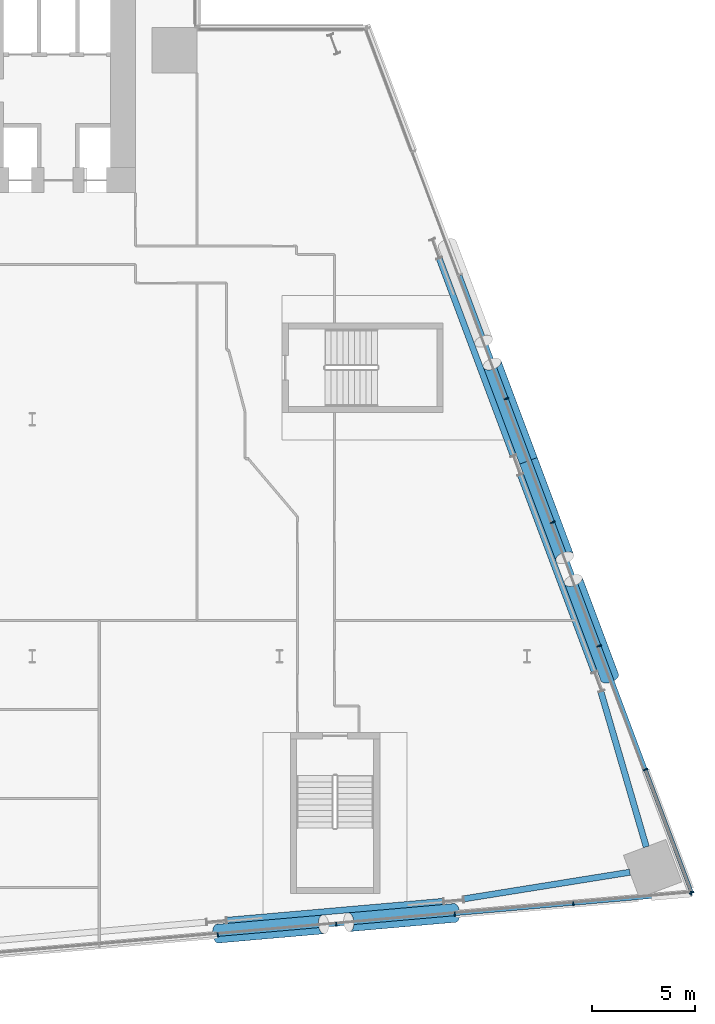
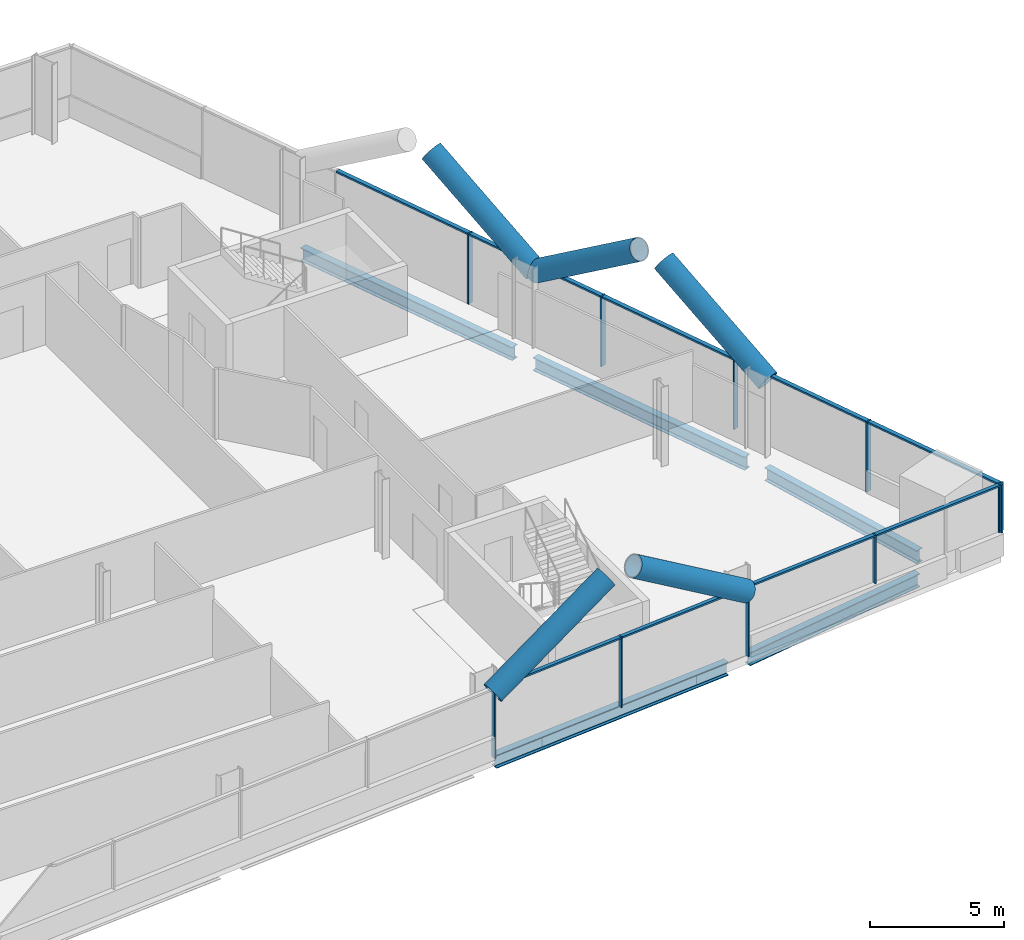
# One storey, part 9 of 27: 24 members, 5 beams, 2 elements without a shape of their own.
"""IFC4 building model written with IfcOpenShell, lengths in metres."""

from ifc_helpers import new_model, si_unit, direction, frame, origin, origin_2d, place, context, subcontext, project, spatial, rectangle, hollow_circle, i_section, extrude, material, material_profile, profile_set, type_object, element, aggregate, save


model = new_model("IFC4")

# Units and contexts
model_context = context("Model", 3, precision=1e-05, world=origin(), true_north=direction((0.0, 1.0)))
body_context = subcontext(model_context, "Body", "Model", "MODEL_VIEW")
ifc_project = project(units=[si_unit("LENGTHUNIT", "METRE"), si_unit("AREAUNIT", "SQUARE_METRE"), si_unit("VOLUMEUNIT", "CUBIC_METRE"), si_unit("PLANEANGLEUNIT", "RADIAN"), si_unit("MASSUNIT", "GRAM", prefix="KILO")], contexts=[model_context])

# Site, building, storey
site_placement = place(None, origin())
site = spatial("IfcSite", under=ifc_project, at=site_placement, CompositionType="ELEMENT")
building_placement = place(site_placement, origin())
building = spatial("IfcBuilding", under=site, at=building_placement, Name="Wharfspan Tower", CompositionType="ELEMENT")
storey_placement = place(building_placement, frame((0.0, 0.0, 73.899902)))
storey = spatial("IfcBuildingStorey", under=building, at=storey_placement, Name="L15", CompositionType="ELEMENT", Elevation=73.899902)

# Beams
ifc_material_1 = material(Name="Steel S355J2", Category="steel")
ifc_material_profile_1 = material_profile(ifc_material_1, i_section(OverallWidth=0.300049, OverallDepth=0.600098, WebThickness=0.015381, FlangeThickness=0.030029, FilletRadius=0.0271, at=origin_2d()))
ifc_profile_set_1 = profile_set([ifc_material_profile_1], Name="Steel S355J2")
beam_type = type_object("IfcBeamType", Name="Edge beam HEB 600", PredefinedType="SPANDREL", material=ifc_profile_set_1)
beam_1_placement = place(storey_placement, frame((69.440674, -1.311279, -0.699951), z_axis=(0.996193, 0.087178, 0.0), x_axis=(-0.087178, 0.996193, 0.0)))
element("IfcBeam", 1, at=beam_1_placement, inside=storey, type_object=beam_type, Name="Edge beam S2 L15 PS2.2 to PS2.3", PredefinedType="SPANDREL", context=body_context, shape_type="SweptSolid", body=[
    extrude(i_section(OverallWidth=0.300049, OverallDepth=0.600098, WebThickness=0.015381, FlangeThickness=0.030029, FilletRadius=0.0271, at=origin_2d()), origin(), (0.0, 0.0, 1.0), 10.543701),
])
beam_2_placement = place(storey_placement, frame((80.9375, -0.269287, -0.699951), z_axis=(0.987379, 0.158378, 0.0), x_axis=(-0.158378, 0.987379, 0.0)))
element("IfcBeam", 2, at=beam_2_placement, inside=storey, type_object=beam_type, Name="Edge beam S2 L15 PS2.3 to MC4", PredefinedType="SPANDREL", context=body_context, shape_type="SweptSolid", body=[
    extrude(i_section(OverallWidth=0.300049, OverallDepth=0.600098, WebThickness=0.015381, FlangeThickness=0.030029, FilletRadius=0.0271, at=origin_2d()), origin(), (0.0, 0.0, 1.0), 8.157715),
])
beam_3_placement = place(storey_placement, frame((89.788086, 2.254639, -0.699951), z_axis=(-0.280694, 0.959797, 0.0), x_axis=(-0.959797, -0.280694, 0.0)))
element("IfcBeam", 3, at=beam_3_placement, inside=storey, type_object=beam_type, Name="Edge beam E L15 MC4 to PE.1", PredefinedType="SPANDREL", context=body_context, shape_type="SweptSolid", body=[
    extrude(i_section(OverallWidth=0.300049, OverallDepth=0.600098, WebThickness=0.015381, FlangeThickness=0.030029, FilletRadius=0.0271, at=origin_2d()), origin(), (0.0, 0.0, 1.0), 7.8479),
])
for number, where, z_axis, x_axis, name in (
    (4, (87.269043, 10.736328, -0.699951), (-0.351126, 0.936328, 0.0), (-0.936328, -0.351126, 0.0), "Edge beam E L15 PE.1 to PE.2"),
    (5, (83.331543, 21.236328, -0.699951), (-0.351126, 0.936328, 0.0), (-0.936328, -0.351126, 0.0), "Edge beam E L15 PE.2 to PE.3"),
):
    element("IfcBeam", number, at=place(storey_placement, frame(where, z_axis=z_axis, x_axis=x_axis)), inside=storey, type_object=beam_type, Name=name, PredefinedType="SPANDREL", context=body_context, shape_type="SweptSolid", body=[
        extrude(i_section(OverallWidth=0.300049, OverallDepth=0.600098, WebThickness=0.015381, FlangeThickness=0.030029, FilletRadius=0.0271, at=origin_2d()), origin(), (0.0, 0.0, 1.0), 10.214111),
    ])

# Curtain wall, members
ifc_material_2 = material(Name="Aluminium 6063-T6", Category="aluminium")
curtain_wall_type_1 = type_object("IfcCurtainWallType", Name="CURTAIN WALL FACETED FRONT", PredefinedType="NOTDEFINED", material=ifc_material_2)
curtain_wall_1_placement = place(storey_placement, origin())
curtain_wall_1 = element("IfcCurtainWall", 6, at=curtain_wall_1_placement, inside=storey, type_object=curtain_wall_type_1, Name="Curtain wall S2", PredefinedType="NOTDEFINED")
ifc_material_profile_2 = material_profile(ifc_material_2, rectangle(XDim=0.199951, YDim=0.060059, at=origin_2d()))
ifc_profile_set_2 = profile_set([ifc_material_profile_2], Name="Aluminium 6063-T6")
member_type_1 = type_object("IfcMemberType", Name="MULLION FACETED FRONT 60x200", PredefinedType="MULLION", material=ifc_profile_set_2)
member_1_placement = place(storey_placement, frame((69.0, -2.012207, 0.0), z_axis=(0.0, 0.0, 1.0), x_axis=(-0.087156, 0.996197, 0.0)))
member_1 = element("IfcMember", 7, at=member_1_placement, type_object=member_type_1, Name="Curtain wall S2 mullion 5", PredefinedType="MULLION", context=body_context, shape_type="SweptSolid", body=[
    extrude(rectangle(XDim=0.199951, YDim=0.060059, at=origin_2d()), origin(), (0.0, 0.0, 1.0), 3.200195),
])
member_2_placement = place(storey_placement, frame((74.75, -1.509277, 0.0), z_axis=(0.0, 0.0, 1.0), x_axis=(-0.087156, 0.996197, 0.0)))
member_2 = element("IfcMember", 8, at=member_2_placement, type_object=member_type_1, Name="Curtain wall S2 mullion 6", PredefinedType="MULLION", context=body_context, shape_type="SweptSolid", body=[
    extrude(rectangle(XDim=0.199951, YDim=0.060059, at=origin_2d()), origin(), (0.0, 0.0, 1.0), 3.200195),
])
member_3_placement = place(storey_placement, frame((80.5, -1.006104, 0.0), z_axis=(0.0, 0.0, 1.0), x_axis=(-0.087156, 0.996197, 0.0)))
member_3 = element("IfcMember", 9, at=member_3_placement, type_object=member_type_1, Name="Curtain wall S2 mullion 7", PredefinedType="MULLION", context=body_context, shape_type="SweptSolid", body=[
    extrude(rectangle(XDim=0.199951, YDim=0.060059, at=origin_2d()), origin(), (0.0, 0.0, 1.0), 3.200195),
])
member_4_placement = place(storey_placement, frame((86.25, -0.503174, 1.0), z_axis=(0.0, 0.0, 1.0), x_axis=(-0.087156, 0.996197, 0.0)))
member_4 = element("IfcMember", 10, at=member_4_placement, type_object=member_type_1, Name="Curtain wall S2 mullion 8", PredefinedType="MULLION", context=body_context, shape_type="SweptSolid", body=[
    extrude(rectangle(XDim=0.199951, YDim=0.060059, at=origin_2d()), origin(), (0.0, 0.0, 1.0), 2.200195),
])
member_5_placement = place(storey_placement, frame((91.970215, -0.002686, 1.0), z_axis=(0.0, 0.0, 1.0), x_axis=(-0.087156, 0.996197, 0.0)))
member_5 = element("IfcMember", 11, at=member_5_placement, type_object=member_type_1, Name="Curtain wall S2 mullion 9", PredefinedType="MULLION", context=body_context, shape_type="SweptSolid", body=[
    extrude(rectangle(XDim=0.199951, YDim=0.060059, at=origin_2d()), origin(), (0.0, 0.0, 1.0), 2.200195),
])

curtain_wall_type_2 = type_object("IfcCurtainWallType", Name="CURTAIN WALL PROW AND END", PredefinedType="NOTDEFINED", material=ifc_material_2)
curtain_wall_2_placement = place(storey_placement, origin())
curtain_wall_2 = element("IfcCurtainWall", 12, at=curtain_wall_2_placement, inside=storey, type_object=curtain_wall_type_2, Name="Curtain wall E", PredefinedType="NOTDEFINED")
ifc_material_profile_3 = material_profile(ifc_material_2, rectangle(XDim=0.23999, YDim=0.060059, at=origin_2d()))
ifc_profile_set_3 = profile_set([ifc_material_profile_3], Name="Aluminium 6063-T6")
member_type_2 = type_object("IfcMemberType", Name="MULLION PROW AND END 60x240", PredefinedType="MULLION", material=ifc_profile_set_3)
member_6_placement = place(storey_placement, frame((91.989502, 0.028076, 1.0), z_axis=(0.0, 0.0, 1.0), x_axis=(-0.936328, -0.351123, 0.0)))
member_6 = element("IfcMember", 13, at=member_6_placement, type_object=member_type_2, Name="Curtain wall E mullion 1", PredefinedType="MULLION", context=body_context, shape_type="SweptSolid", body=[
    extrude(rectangle(XDim=0.23999, YDim=0.060059, at=origin_2d()), origin(), (0.0, 0.0, 1.0), 2.200195),
])
member_7_placement = place(storey_placement, frame((89.75, 6.0, 0.0), z_axis=(0.0, 0.0, 1.0), x_axis=(-0.936328, -0.351123, 0.0)))
member_7 = element("IfcMember", 14, at=member_7_placement, type_object=member_type_2, Name="Curtain wall E mullion 2", PredefinedType="MULLION", context=body_context, shape_type="SweptSolid", body=[
    extrude(rectangle(XDim=0.23999, YDim=0.060059, at=origin_2d()), origin(), (0.0, 0.0, 1.0), 3.200195),
])
member_8_placement = place(storey_placement, frame((87.5, 12.0, 0.0), z_axis=(0.0, 0.0, 1.0), x_axis=(-0.936328, -0.351123, 0.0)))
member_8 = element("IfcMember", 15, at=member_8_placement, type_object=member_type_2, Name="Curtain wall E mullion 3", PredefinedType="MULLION", context=body_context, shape_type="SweptSolid", body=[
    extrude(rectangle(XDim=0.23999, YDim=0.060059, at=origin_2d()), origin(), (0.0, 0.0, 1.0), 3.200195),
])
member_9_placement = place(storey_placement, frame((85.25, 18.0, 0.0), z_axis=(0.0, 0.0, 1.0), x_axis=(-0.936328, -0.351123, 0.0)))
member_9 = element("IfcMember", 16, at=member_9_placement, type_object=member_type_2, Name="Curtain wall E mullion 4", PredefinedType="MULLION", context=body_context, shape_type="SweptSolid", body=[
    extrude(rectangle(XDim=0.23999, YDim=0.060059, at=origin_2d()), origin(), (0.0, 0.0, 1.0), 3.200195),
])
member_10_placement = place(storey_placement, frame((83.0, 24.0, 0.0), z_axis=(0.0, 0.0, 1.0), x_axis=(-0.936328, -0.351123, 0.0)))
member_10 = element("IfcMember", 17, at=member_10_placement, type_object=member_type_2, Name="Curtain wall E mullion 5", PredefinedType="MULLION", context=body_context, shape_type="SweptSolid", body=[
    extrude(rectangle(XDim=0.23999, YDim=0.060059, at=origin_2d()), origin(), (0.0, 0.0, 1.0), 3.200195),
])

# Members
ifc_material_3 = material(Name="Steel S460NH", Category="steel")
ifc_material_profile_4 = material_profile(ifc_material_3, hollow_circle(Radius=0.457031, WallThickness=0.040039, at=origin_2d()))
ifc_profile_set_4 = profile_set([ifc_material_profile_4], Name="Steel S460NH")
member_type_3 = type_object("IfcMemberType", Name="Mega brace CHS 914x40", PredefinedType="BRACE", material=ifc_profile_set_4)
member_11_placement = place(storey_placement, frame((68.995117, -1.95752, 2.900146), z_axis=(0.84528, 0.073961, 0.52918), x_axis=(-0.087165, 0.996192, -1e-06)))
element("IfcMember", 18, at=member_11_placement, inside=storey, type_object=member_type_3, Name="Mega brace S2 L16 part 1", PredefinedType="BRACE", context=body_context, shape_type="SweptSolid", body=[
    extrude(hollow_circle(Radius=0.457031, WallThickness=0.040039, at=origin_2d()), origin(), (0.0, 0.0, 1.0), 6.07373),
])
member_12_placement = place(storey_placement, frame((80.495117, -0.951416, 2.900146), z_axis=(-0.845271, -0.073923, 0.529199), x_axis=(0.087123, -0.996199, 1e-06)))
element("IfcMember", 19, at=member_12_placement, inside=storey, type_object=member_type_3, Name="Mega brace S2 L16 part 3", PredefinedType="BRACE", context=body_context, shape_type="SweptSolid", body=[
    extrude(hollow_circle(Radius=0.457031, WallThickness=0.040039, at=origin_2d()), origin(), (0.0, 0.0, 1.0), 6.073486),
])
for number, where, z_axis, x_axis, name in (
    (20, (88.010986, 10.480713, 2.900146), (-0.295466, 0.787922, 0.540259), (-0.936329, -0.351115, -4e-06), "Mega brace E5 L16 part 1"),
    (21, (84.073486, 20.980713, 2.900146), (0.295466, -0.787922, 0.540259), (0.936329, 0.351115, -4e-06), "Mega brace E5 L16 part 3"),
    (22, (84.073486, 20.980713, 2.900146), (-0.295466, 0.787922, 0.540259), (-0.936329, -0.351115, -4e-06), "Mega brace E6 L16 part 1"),
):
    element("IfcMember", number, at=place(storey_placement, frame(where, z_axis=z_axis, x_axis=x_axis)), inside=storey, type_object=member_type_3, Name=name, PredefinedType="BRACE", context=body_context, shape_type="SweptSolid", body=[
        extrude(hollow_circle(Radius=0.457031, WallThickness=0.040039, at=origin_2d()), origin(), (0.0, 0.0, 1.0), 5.955078),
    ])

# Member
ifc_material_profile_5 = material_profile(ifc_material_2, rectangle(XDim=0.159912, YDim=0.080078, at=origin_2d()))
ifc_profile_set_5 = profile_set([ifc_material_profile_5], Name="Aluminium 6063-T6")
member_type_4 = type_object("IfcMemberType", Name="TRANSOM FACETED FRONT 80x160", PredefinedType="USERDEFINED", material=ifc_profile_set_5)
member_13_placement = place(storey_placement, frame((69.029785, -2.009521, 3.160156), z_axis=(0.996195, 0.087148, 0.0), x_axis=(-0.087148, 0.996195, 0.0)))
member_13 = element("IfcMember", 23, at=member_13_placement, type_object=member_type_4, Name="Curtain wall S2 transom 5", ObjectType="TRANSOM", PredefinedType="USERDEFINED", context=body_context, shape_type="SweptSolid", body=[
    extrude(rectangle(XDim=0.159912, YDim=0.080078, at=origin_2d()), origin(), (0.0, 0.0, 1.0), 5.712158),
])

member_14_placement = place(storey_placement, frame((74.779785, -1.506592, 3.160156), z_axis=(0.996195, 0.087148, 0.0), x_axis=(-0.087148, 0.996195, 0.0)))
member_14 = element("IfcMember", 24, at=member_14_placement, type_object=member_type_4, Name="Curtain wall S2 transom 6", ObjectType="TRANSOM", PredefinedType="USERDEFINED", context=body_context, shape_type="SweptSolid", body=[
    extrude(rectangle(XDim=0.159912, YDim=0.080078, at=origin_2d()), origin(), (0.0, 0.0, 1.0), 5.712158),
])

member_15_placement = place(storey_placement, frame((80.529785, -1.003418, 3.160156), z_axis=(0.996195, 0.087148, 0.0), x_axis=(-0.087148, 0.996195, 0.0)))
member_15 = element("IfcMember", 25, at=member_15_placement, type_object=member_type_4, Name="Curtain wall S2 transom 7", ObjectType="TRANSOM", PredefinedType="USERDEFINED", context=body_context, shape_type="SweptSolid", body=[
    extrude(rectangle(XDim=0.159912, YDim=0.080078, at=origin_2d()), origin(), (0.0, 0.0, 1.0), 5.712158),
])

member_16_placement = place(storey_placement, frame((86.279785, -0.500488, 3.160156), z_axis=(0.996193, 0.08718, 0.0), x_axis=(-0.08718, 0.996193, 0.0)))
member_16 = element("IfcMember", 26, at=member_16_placement, type_object=member_type_4, Name="Curtain wall S2 transom 8", ObjectType="TRANSOM", PredefinedType="USERDEFINED", context=body_context, shape_type="SweptSolid", body=[
    extrude(rectangle(XDim=0.159912, YDim=0.080078, at=origin_2d()), origin(), (0.0, 0.0, 1.0), 5.682129),
])

aggregate(curtain_wall_1, [member_1, member_2, member_3, member_4, member_5, member_13, member_14, member_15, member_16])

ifc_material_profile_6 = material_profile(ifc_material_2, rectangle(XDim=0.179932, YDim=0.080078, at=origin_2d()))
ifc_profile_set_6 = profile_set([ifc_material_profile_6], Name="Aluminium 6063-T6")
member_type_5 = type_object("IfcMemberType", Name="TRANSOM PROW AND END 80x180", PredefinedType="USERDEFINED", material=ifc_profile_set_6)
member_17_placement = place(storey_placement, frame((91.979004, 0.056152, 3.160156), z_axis=(-0.351136, 0.936324, 0.0), x_axis=(-0.936324, -0.351136, 0.0)))
member_17 = element("IfcMember", 27, at=member_17_placement, type_object=member_type_5, Name="Curtain wall E transom 1", ObjectType="TRANSOM", PredefinedType="USERDEFINED", context=body_context, shape_type="SweptSolid", body=[
    extrude(rectangle(XDim=0.179932, YDim=0.080078, at=origin_2d()), origin(), (0.0, 0.0, 1.0), 6.318115),
])

member_18_placement = place(storey_placement, frame((89.739502, 6.028076, 3.160156), z_axis=(-0.351132, 0.936326, 0.0), x_axis=(-0.936326, -0.351132, 0.0)))
member_18 = element("IfcMember", 28, at=member_18_placement, type_object=member_type_5, Name="Curtain wall E transom 2", ObjectType="TRANSOM", PredefinedType="USERDEFINED", context=body_context, shape_type="SweptSolid", body=[
    extrude(rectangle(XDim=0.179932, YDim=0.080078, at=origin_2d()), origin(), (0.0, 0.0, 1.0), 6.348145),
])

member_19_placement = place(storey_placement, frame((87.489502, 12.028076, 3.160156), z_axis=(-0.351132, 0.936326, 0.0), x_axis=(-0.936326, -0.351132, 0.0)))
member_19 = element("IfcMember", 29, at=member_19_placement, type_object=member_type_5, Name="Curtain wall E transom 3", ObjectType="TRANSOM", PredefinedType="USERDEFINED", context=body_context, shape_type="SweptSolid", body=[
    extrude(rectangle(XDim=0.179932, YDim=0.080078, at=origin_2d()), origin(), (0.0, 0.0, 1.0), 6.348145),
])

member_20_placement = place(storey_placement, frame((85.239502, 18.028076, 3.160156), z_axis=(-0.351132, 0.936326, 0.0), x_axis=(-0.936326, -0.351132, 0.0)))
member_20 = element("IfcMember", 30, at=member_20_placement, type_object=member_type_5, Name="Curtain wall E transom 4", ObjectType="TRANSOM", PredefinedType="USERDEFINED", context=body_context, shape_type="SweptSolid", body=[
    extrude(rectangle(XDim=0.179932, YDim=0.080078, at=origin_2d()), origin(), (0.0, 0.0, 1.0), 6.348145),
])

member_21_placement = place(storey_placement, frame((82.989502, 24.028076, 3.160156), z_axis=(-0.351132, 0.936326, 0.0), x_axis=(-0.936326, -0.351132, 0.0)))
member_21 = element("IfcMember", 31, at=member_21_placement, type_object=member_type_5, Name="Curtain wall E transom 5", ObjectType="TRANSOM", PredefinedType="USERDEFINED", context=body_context, shape_type="SweptSolid", body=[
    extrude(rectangle(XDim=0.179932, YDim=0.080078, at=origin_2d()), origin(), (0.0, 0.0, 1.0), 6.348145),
])

aggregate(curtain_wall_2, [member_6, member_7, member_8, member_9, member_10, member_17, member_18, member_19, member_20, member_21])

save(model, "model.ifc")
